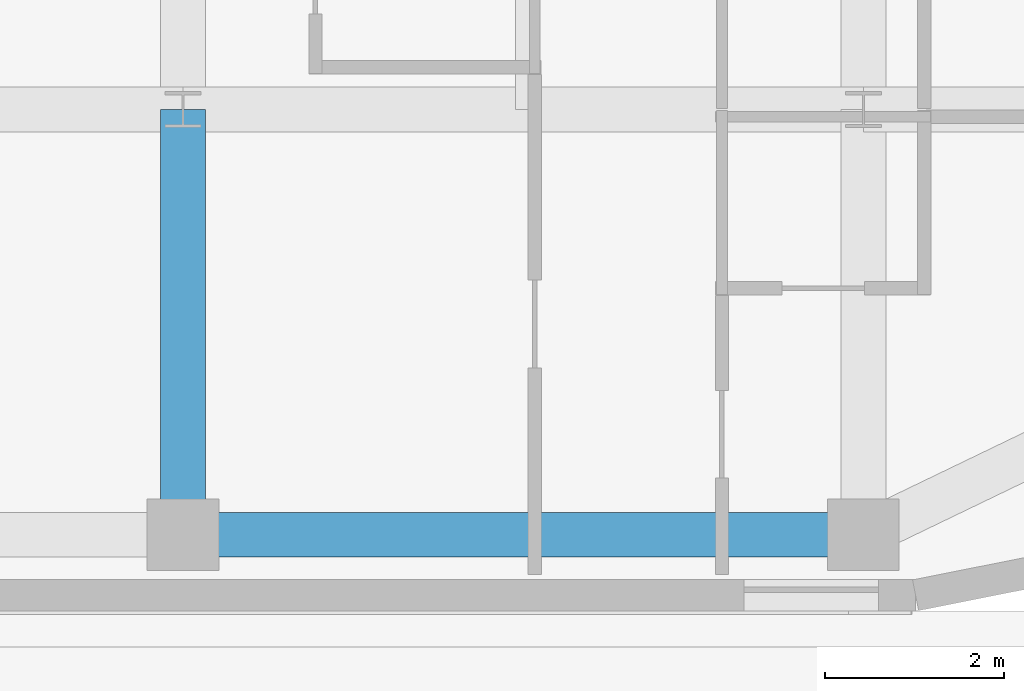
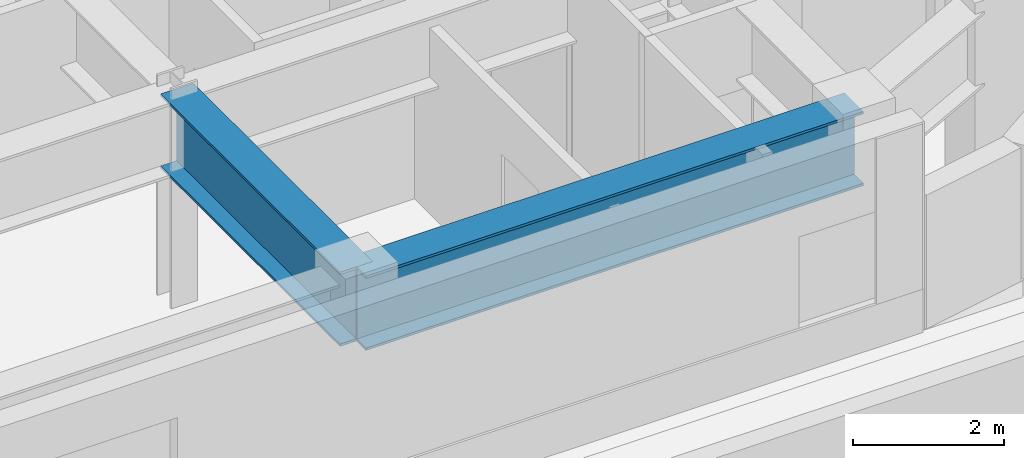
# One storey, part 6 of 20: 2 beams.
"""IFC4 building model written with IfcOpenShell, lengths in metres."""

from ifc_helpers import new_model, si_unit, direction, frame, origin, origin_2d, place, context, subcontext, project, spatial, i_section, extrude, source, transform, mapped, material, material_profile, profile_set, type_object, type_shapes, element, save


model = new_model("IFC4")

# Units and contexts
model_context = context("Model", 3, precision=1e-05, world=origin(), true_north=direction((0.0, 1.0)))
body_context = subcontext(model_context, "Body", "Model", "MODEL_VIEW")
ifc_project = project(units=[si_unit("LENGTHUNIT", "METRE"), si_unit("AREAUNIT", "SQUARE_METRE"), si_unit("VOLUMEUNIT", "CUBIC_METRE"), si_unit("PLANEANGLEUNIT", "RADIAN"), si_unit("MASSUNIT", "GRAM", prefix="KILO")], contexts=[model_context])

# Site, building, storey
site_placement = place(None, origin())
site = spatial("IfcSite", under=ifc_project, at=site_placement, CompositionType="ELEMENT")
building_placement = place(site_placement, origin())
building = spatial("IfcBuilding", under=site, at=building_placement, Name="Tolvann Quenvar Hotel", CompositionType="ELEMENT")
storey_placement = place(building_placement, frame((0.0, 0.0, 147.050048828125)))
storey = spatial("IfcBuildingStorey", under=building, at=storey_placement, Name="L38", CompositionType="ELEMENT", Elevation=147.050048828125)

# Beams
ifc_material = material(Name="Steel Grade 350", Category="steel")
ifc_material_profile = material_profile(ifc_material, i_section(OverallWidth=0.5, OverallDepth=1.199951171875, WebThickness=0.01611328125, FlangeThickness=0.0400390625, at=origin_2d()), Name="1200WB455")
ifc_profile_set = profile_set([ifc_material_profile], Name="Steel Grade 350")
beam_type = type_object("IfcBeamType", Name="BM_TG_1200WB455", PredefinedType="USERDEFINED", material=ifc_profile_set)
shared_shape_1 = source(origin(), body_context, "Body", "SweptSolid", [
    extrude(i_section(OverallWidth=0.5, OverallDepth=1.199951171875, WebThickness=0.01611328125, FlangeThickness=0.0400390625, at=origin_2d()), origin(), (0.0, 0.0, 1.0), 7.599853515625),
])
beam_1_placement = place(storey_placement, frame((41.800048828125, 3.449951171875, 2.77001953125), z_axis=(1.0, 0.0, 0.0), x_axis=(0.0, 1.0, 0.0)))
element("IfcBeam", 1, at=beam_1_placement, inside=storey, type_object=beam_type, Name="BM-L38-EW-2-H2-I2", ObjectType="TRANSFER GIRDER", PredefinedType="USERDEFINED", context=body_context, shape_type="MappedRepresentation", body=[
    mapped(shared_shape_1, transform((0.0, 0.0, 0.0), x_axis=(1.0, 0.0, 0.0), y_axis=(0.0, 1.0, 0.0), z_axis=(0.0, 0.0, 1.0), scale=1.0)),
])
shared_shape_2 = source(origin(), body_context, "Body", "SweptSolid", [
    extrude(i_section(OverallWidth=0.5, OverallDepth=1.199951171875, WebThickness=0.01611328125, FlangeThickness=0.0400390625, at=origin_2d()), origin(), (0.0, 0.0, 1.0), 4.75),
])
type_shapes(beam_type, [shared_shape_1, shared_shape_2])
beam_2_placement = place(storey_placement, frame((41.800048828125, 3.449951171875, 2.77001953125), z_axis=(0.0, 1.0, 0.0), x_axis=(-1.0, 0.0, 0.0)))
element("IfcBeam", 2, at=beam_2_placement, inside=storey, type_object=beam_type, Name="BM-L38-NS-H2-H3", ObjectType="TRANSFER GIRDER", PredefinedType="USERDEFINED", context=body_context, shape_type="MappedRepresentation", body=[
    mapped(shared_shape_2, transform((0.0, 0.0, 0.0), x_axis=(1.0, 0.0, 0.0), y_axis=(0.0, 1.0, 0.0), z_axis=(0.0, 0.0, 1.0), scale=1.0)),
])

save(model, "model.ifc")
